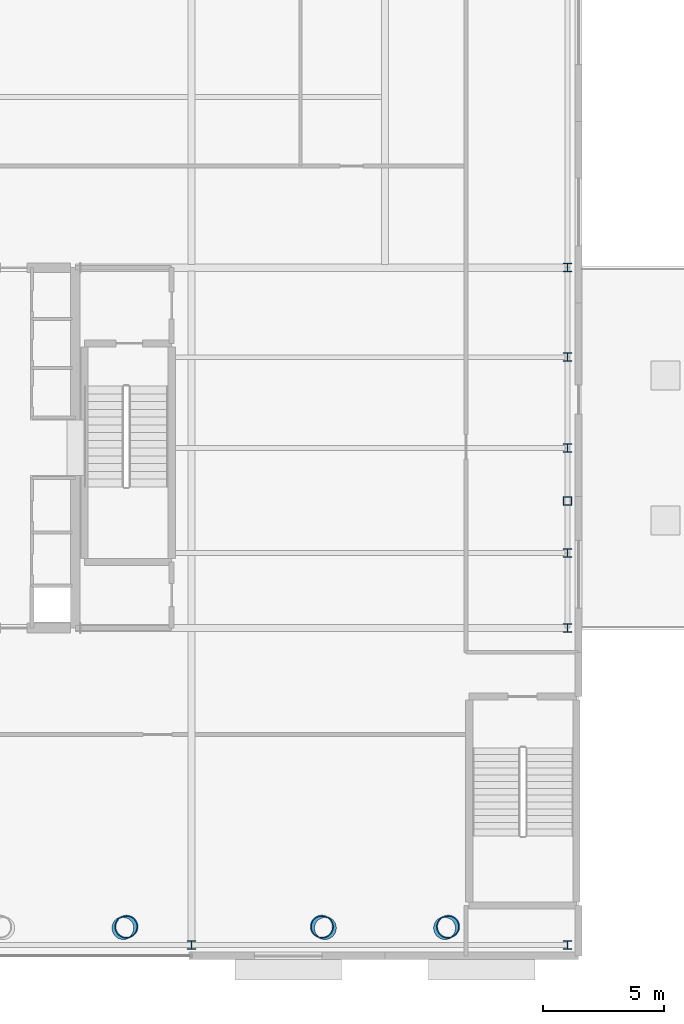
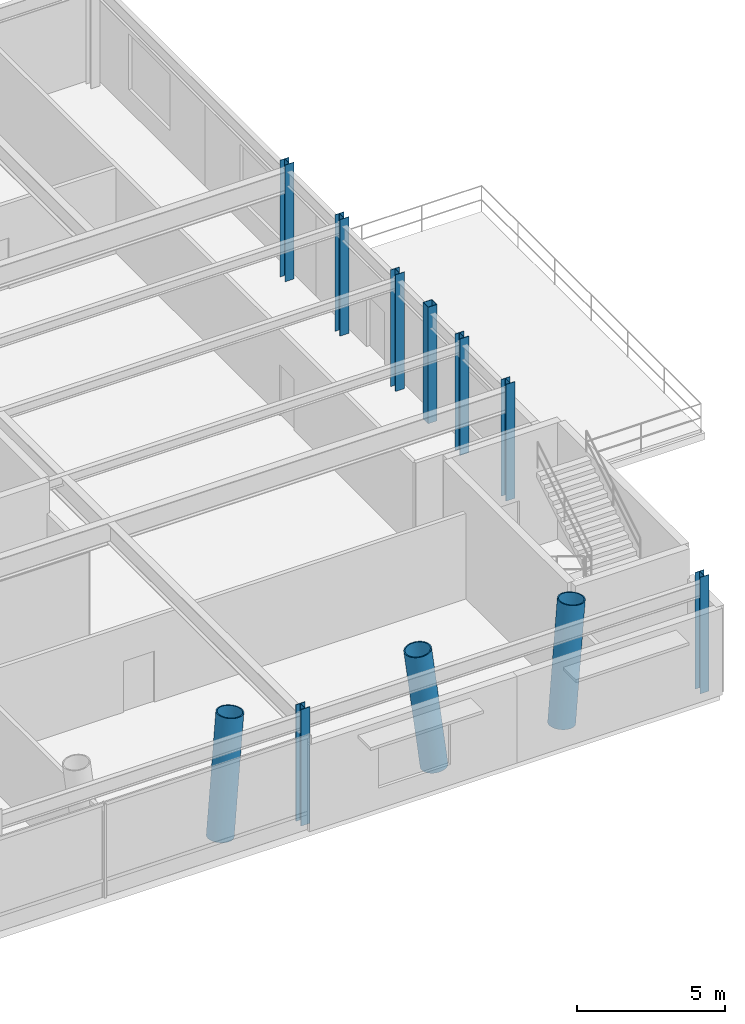
# One storey, part 2 of 22: 11 columns.
"""IFC4 building model written with IfcOpenShell, lengths in metres."""

from ifc_helpers import new_model, si_unit, direction, frame, origin, origin_2d, place, context, subcontext, project, spatial, hollow_rectangle, hollow_circle, i_section, extrude, material, material_profile, profile_set, type_object, element, save


model = new_model("IFC4")

# Units and contexts
model_context = context("Model", 3, precision=1e-05, world=origin(), true_north=direction((0.0, 1.0)))
body_context = subcontext(model_context, "Body", "Model", "MODEL_VIEW")
ifc_project = project(units=[si_unit("LENGTHUNIT", "METRE"), si_unit("AREAUNIT", "SQUARE_METRE"), si_unit("VOLUMEUNIT", "CUBIC_METRE"), si_unit("PLANEANGLEUNIT", "RADIAN"), si_unit("MASSUNIT", "GRAM", prefix="KILO")], contexts=[model_context])

# Site, building, storey
site_placement = place(None, origin())
site = spatial("IfcSite", under=ifc_project, at=site_placement, CompositionType="ELEMENT")
building_placement = place(site_placement, origin())
building = spatial("IfcBuilding", under=site, at=building_placement, Name="Veldorina Hangang Commons", CompositionType="ELEMENT")
storey_placement = place(building_placement, frame((0.0, 0.0, 14.800048828125)))
storey = spatial("IfcBuildingStorey", under=building, at=storey_placement, Name="L03", CompositionType="ELEMENT", Elevation=14.800048828125)

# Columns
ifc_material_1 = material(Name="Steel SM420-TMC", Category="steel")
ifc_material_profile_1 = material_profile(ifc_material_1, i_section(OverallWidth=0.35009765625, OverallDepth=0.35009765625, WebThickness=0.011962890625, FlangeThickness=0.01904296875, FilletRadius=0.01611328125, at=origin_2d()), Name="H-350x350x12x19")
ifc_profile_set_1 = profile_set([ifc_material_profile_1], Name="Steel SM420-TMC")
column_type_1 = type_object("IfcColumnType", Name="COL-H350", PredefinedType="COLUMN", material=ifc_profile_set_1)
for number, where, z_axis, x_axis, name in (
    (1, (44.0, 3.449951171875, 0.0), (0.0, 0.0, 1.0), (1.0, 0.0, 0.0), "L03 structural column S5"),
    (2, (59.550048828125, 3.449951171875, 0.0), (0.0, 0.0, 1.0), (1.0, 0.0, 0.0), "L03 structural column S7"),
    (3, (59.550048828125, 16.550048828125, 0.0), (0.0, 0.0, 1.0), (1.0, 0.0, 0.0), "L03 structural column E1"),
    (4, (59.550048828125, 19.64990234375, 0.0), (0.0, 0.0, 1.0), (1.0, 0.0, 0.0), "L03 structural column E2"),
    (5, (59.550048828125, 24.0, 0.0), (0.0, 0.0, 1.0), (1.0, 0.0, 0.0), "L03 structural column E3"),
    (6, (59.550048828125, 27.75, 0.0), (0.0, 0.0, 1.0), (1.0, 0.0, 0.0), "L03 structural column E4"),
    (7, (59.550048828125, 31.449951171875, 0.0), (0.0, 0.0, 1.0), (1.0, 0.0, 0.0), "L03 structural column E5"),
):
    element("IfcColumn", number, at=place(storey_placement, frame(where, z_axis=z_axis, x_axis=x_axis)), inside=storey, type_object=column_type_1, Name=name, PredefinedType="COLUMN", context=body_context, shape_type="SweptSolid", body=[
        extrude(i_section(OverallWidth=0.35009765625, OverallDepth=0.35009765625, WebThickness=0.011962890625, FlangeThickness=0.01904296875, FilletRadius=0.01611328125, at=origin_2d()), origin(), (0.0, 0.0, 1.0), 4.800048828125),
    ])
ifc_material_2 = material(Name="Steel SM355-TMC", Category="steel")
ifc_material_profile_2 = material_profile(ifc_material_2, hollow_rectangle(XDim=0.35009765625, YDim=0.35009765625, WallThickness=0.01611328125, at=origin_2d()), Name="SHS-350x350x16")
ifc_profile_set_2 = profile_set([ifc_material_profile_2], Name="Steel SM355-TMC")
column_type_2 = type_object("IfcColumnType", Name="COL-PIL-350", PredefinedType="PILASTER", material=ifc_profile_set_2)
column_placement = place(storey_placement, frame((59.550048828125, 21.800048828125, 0.0), z_axis=(0.0, 0.0, 1.0), x_axis=(1.0, 0.0, 0.0)))
element("IfcColumn", 8, at=column_placement, inside=storey, type_object=column_type_2, Name="L03 rationalist colonnade pilaster 4", PredefinedType="PILASTER", context=body_context, shape_type="SweptSolid", body=[
    extrude(hollow_rectangle(XDim=0.35009765625, YDim=0.35009765625, WallThickness=0.01611328125, at=origin_2d()), origin(), (0.0, 0.0, 1.0), 4.800048828125),
])
ifc_material_3 = material(Name="Steel SM490-TMC", Category="steel")
ifc_material_profile_3 = material_profile(ifc_material_3, hollow_circle(Radius=0.47509765625, WallThickness=0.044921875, at=origin_2d()), Name="CHS-950x45")
ifc_profile_set_3 = profile_set([ifc_material_profile_3], Name="Steel SM490-TMC")
column_type_3 = type_object("IfcColumnType", Name="COL-VC950", PredefinedType="COLUMN", material=ifc_profile_set_3)
for number, where, z_axis, x_axis, name in (
    (9, (41.184814453125, 4.1474609375, 0.0), (0.105040667994, 0.046836315166, 0.993364393186), (-0.407238706506, 0.913321759252, 0.0), "L03 sculptural V-column VC-3 leg R"),
    (10, (49.51513671875, 4.1474609375, 0.0), (-0.105040667994, 0.046836315166, 0.993364393186), (-0.407238706506, -0.913321759252, 0.0), "L03 sculptural V-column VC-4 leg L"),
    (11, (54.48486328125, 4.1474609375, 0.0), (0.105040667994, 0.046836315166, 0.993364393186), (-0.407238706506, 0.913321759252, 0.0), "L03 sculptural V-column VC-4 leg R"),
):
    element("IfcColumn", number, at=place(storey_placement, frame(where, z_axis=z_axis, x_axis=x_axis)), inside=storey, type_object=column_type_3, Name=name, PredefinedType="COLUMN", context=body_context, shape_type="SweptSolid", body=[
        extrude(hollow_circle(Radius=0.47509765625, WallThickness=0.044921875, at=origin_2d()), origin(), (0.0, 0.0, 1.0), 4.83203125),
    ])

save(model, "model.ifc")
